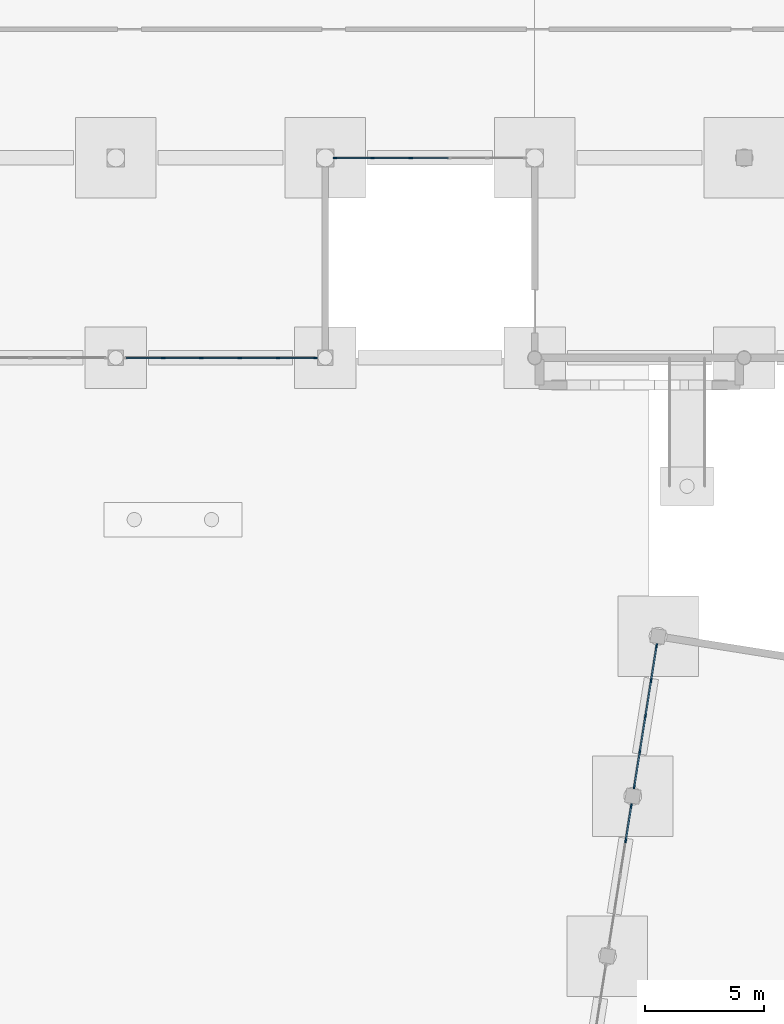
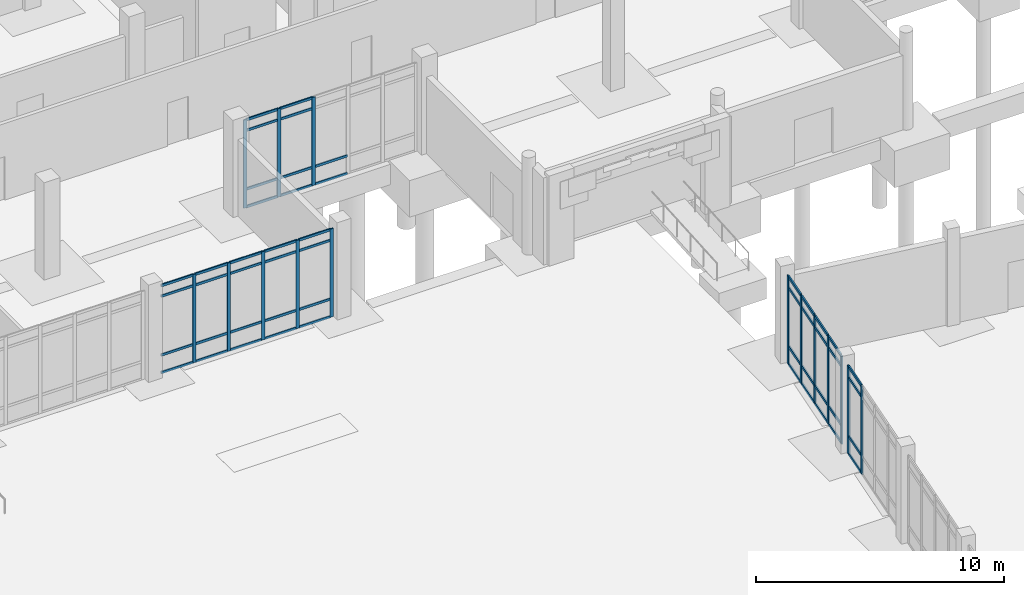
# One storey, part 21 of 72: 65 members, 4 elements without a shape of their own.
"""IFC4 building model written with IfcOpenShell, lengths in metres."""

from ifc_helpers import new_model, si_unit, direction, frame, origin, origin_2d, place, context, subcontext, project, spatial, rectangle, extrude, material, material_profile, profile_set, type_object, element, aggregate, save


model = new_model("IFC4")

# Units and contexts
model_context = context("Model", 3, precision=1e-05, world=origin(), true_north=direction((0.0, 1.0)))
body_context = subcontext(model_context, "Body", "Model", "MODEL_VIEW")
ifc_project = project(units=[si_unit("LENGTHUNIT", "METRE"), si_unit("AREAUNIT", "SQUARE_METRE"), si_unit("VOLUMEUNIT", "CUBIC_METRE"), si_unit("PLANEANGLEUNIT", "RADIAN"), si_unit("MASSUNIT", "GRAM", prefix="KILO")], contexts=[model_context])

# Site, building, storey
site_placement = place(None, origin())
site = spatial("IfcSite", under=ifc_project, at=site_placement, CompositionType="ELEMENT")
building_placement = place(site_placement, origin())
building = spatial("IfcBuilding", under=site, at=building_placement, Name="Cinderway Yard Community Centre", CompositionType="ELEMENT")
storey_placement = place(building_placement, origin())
storey = spatial("IfcBuildingStorey", under=building, at=storey_placement, Name="L00", CompositionType="ELEMENT", Elevation=0.0)

# Curtain wall, members
ifc_material = material(Name="Aluminium 6063-T6", Category="aluminium")
curtain_wall_type_1 = type_object("IfcCurtainWallType", Name="ENV-CW-TYPE-25", PredefinedType="USERDEFINED", material=ifc_material)
curtain_wall_1_placement = place(storey_placement, origin())
curtain_wall_1 = element("IfcCurtainWall", 1, at=curtain_wall_1_placement, inside=storey, type_object=curtain_wall_type_1, Name="V4 Courtyard Curtain Wall ENV-CW-L00-ST-0117", ObjectType="GLAZED CURTAIN WALL", PredefinedType="USERDEFINED")
ifc_material_profile_1 = material_profile(ifc_material, rectangle(XDim=0.06005859375, YDim=0.159912109375, at=origin_2d()), Name="Aluminium 6063-T6")
ifc_profile_set_1 = profile_set([ifc_material_profile_1], Name="Aluminium 6063-T6")
member_type_1 = type_object("IfcMemberType", Name="ENV-CW-MULL-150", PredefinedType="MULLION", material=ifc_profile_set_1)
member_1_placement = place(storey_placement, frame((103.587890625, 90.0, 0.0), z_axis=(0.0, 0.0, 1.0), x_axis=(0.0, 1.0, 0.0)))
member_1 = element("IfcMember", 2, at=member_1_placement, type_object=member_type_1, Name="CW-25 mullion 2", PredefinedType="MULLION", context=body_context, shape_type="SweptSolid", body=[
    extrude(rectangle(XDim=0.06005859375, YDim=0.159912109375, at=origin_2d()), origin(), (0.0, 0.0, 1.0), 4.35009765625),
])
member_2_placement = place(storey_placement, frame((105.196044921875, 90.0, 0.0), z_axis=(0.0, 0.0, 1.0), x_axis=(0.0, 1.0, 0.0)))
member_2 = element("IfcMember", 3, at=member_2_placement, type_object=member_type_1, Name="CW-25 mullion 3", PredefinedType="MULLION", context=body_context, shape_type="SweptSolid", body=[
    extrude(rectangle(XDim=0.06005859375, YDim=0.159912109375, at=origin_2d()), origin(), (0.0, 0.0, 1.0), 4.35009765625),
])
member_3_placement = place(storey_placement, frame((106.803955078125, 90.0, 0.0), z_axis=(0.0, 0.0, 1.0), x_axis=(0.0, 1.0, 0.0)))
member_3 = element("IfcMember", 4, at=member_3_placement, type_object=member_type_1, Name="CW-25 mullion 4", PredefinedType="MULLION", context=body_context, shape_type="SweptSolid", body=[
    extrude(rectangle(XDim=0.06005859375, YDim=0.159912109375, at=origin_2d()), origin(), (0.0, 0.0, 1.0), 4.35009765625),
])
member_4_placement = place(storey_placement, frame((108.412109375, 90.0, 0.0), z_axis=(0.0, 0.0, 1.0), x_axis=(0.0, 1.0, 0.0)))
member_4 = element("IfcMember", 5, at=member_4_placement, type_object=member_type_1, Name="CW-25 mullion 5", PredefinedType="MULLION", context=body_context, shape_type="SweptSolid", body=[
    extrude(rectangle(XDim=0.06005859375, YDim=0.159912109375, at=origin_2d()), origin(), (0.0, 0.0, 1.0), 4.35009765625),
])
member_5_placement = place(storey_placement, frame((109.989990234375, 90.0, 0.0), z_axis=(0.0, 0.0, 1.0), x_axis=(0.0, 1.0, 0.0)))
member_5 = element("IfcMember", 6, at=member_5_placement, type_object=member_type_1, Name="CW-25 mullion 6", PredefinedType="MULLION", context=body_context, shape_type="SweptSolid", body=[
    extrude(rectangle(XDim=0.06005859375, YDim=0.159912109375, at=origin_2d()), origin(), (0.0, 0.0, 1.0), 4.35009765625),
])

curtain_wall_2_placement = place(storey_placement, origin())
curtain_wall_2 = element("IfcCurtainWall", 7, at=curtain_wall_2_placement, inside=storey, type_object=curtain_wall_type_1, Name="V4 Courtyard Curtain Wall ENV-CW-L00-ST-0119", ObjectType="GLAZED CURTAIN WALL", PredefinedType="USERDEFINED")
member_6_placement = place(storey_placement, frame((110.81005859375, 98.39990234375, 0.0), z_axis=(0.0, 0.0, 1.0), x_axis=(0.0, 1.0, 0.0)))
member_6 = element("IfcMember", 8, at=member_6_placement, type_object=member_type_1, Name="CW-25 mullion 1", PredefinedType="MULLION", context=body_context, shape_type="SweptSolid", body=[
    extrude(rectangle(XDim=0.06005859375, YDim=0.159912109375, at=origin_2d()), origin(), (0.0, 0.0, 1.0), 4.35009765625),
])
member_7_placement = place(storey_placement, frame((112.387939453125, 98.39990234375, 0.0), z_axis=(0.0, 0.0, 1.0), x_axis=(0.0, 1.0, 0.0)))
member_7 = element("IfcMember", 9, at=member_7_placement, type_object=member_type_1, Name="CW-25 mullion 2", PredefinedType="MULLION", context=body_context, shape_type="SweptSolid", body=[
    extrude(rectangle(XDim=0.06005859375, YDim=0.159912109375, at=origin_2d()), origin(), (0.0, 0.0, 1.0), 4.35009765625),
])
member_8_placement = place(storey_placement, frame((113.99609375, 98.39990234375, 0.0), z_axis=(0.0, 0.0, 1.0), x_axis=(0.0, 1.0, 0.0)))
member_8 = element("IfcMember", 10, at=member_8_placement, type_object=member_type_1, Name="CW-25 mullion 3", PredefinedType="MULLION", context=body_context, shape_type="SweptSolid", body=[
    extrude(rectangle(XDim=0.06005859375, YDim=0.159912109375, at=origin_2d()), origin(), (0.0, 0.0, 1.0), 4.35009765625),
])

curtain_wall_type_2 = type_object("IfcCurtainWallType", Name="ENV-CW-TYPE-12", PredefinedType="USERDEFINED", material=ifc_material)
curtain_wall_3_placement = place(storey_placement, origin())
curtain_wall_3 = element("IfcCurtainWall", 11, at=curtain_wall_3_placement, inside=storey, type_object=curtain_wall_type_2, Name="Sports Hall Courtyard Curtain Wall ENV-CW-L00-HS-0048", ObjectType="GLAZED CURTAIN WALL", PredefinedType="USERDEFINED")
ifc_material_profile_2 = material_profile(ifc_material, rectangle(XDim=0.06494140625, YDim=0.179931640625, at=origin_2d()), Name="Aluminium 6063-T6")
ifc_profile_set_2 = profile_set([ifc_material_profile_2], Name="Aluminium 6063-T6")
member_type_2 = type_object("IfcMemberType", Name="ENV-CW-MULL-180", PredefinedType="MULLION", material=ifc_profile_set_2)
member_9_placement = place(storey_placement, frame((123.0234375, 69.714599609375, 0.0), z_axis=(0.0, 0.0, 1.0), x_axis=(-0.987660740525, 0.156608625643, 0.0)))
member_9 = element("IfcMember", 12, at=member_9_placement, type_object=member_type_2, Name="CW-12 mullion 4", PredefinedType="MULLION", context=body_context, shape_type="SweptSolid", body=[
    extrude(rectangle(XDim=0.06494140625, YDim=0.179931640625, at=origin_2d()), origin(), (0.0, 0.0, 1.0), 4.35009765625),
])
member_10_placement = place(storey_placement, frame((123.25537109375, 71.17626953125, 0.0), z_axis=(0.0, 0.0, 1.0), x_axis=(-0.987660740525, 0.156608625643, 0.0)))
member_10 = element("IfcMember", 13, at=member_10_placement, type_object=member_type_2, Name="CW-12 mullion 5", PredefinedType="MULLION", context=body_context, shape_type="SweptSolid", body=[
    extrude(rectangle(XDim=0.06494140625, YDim=0.179931640625, at=origin_2d()), origin(), (0.0, 0.0, 1.0), 4.35009765625),
])

curtain_wall_4_placement = place(storey_placement, origin())
curtain_wall_4 = element("IfcCurtainWall", 14, at=curtain_wall_4_placement, inside=storey, type_object=curtain_wall_type_2, Name="Sports Hall Courtyard Curtain Wall ENV-CW-L00-HS-0049", ObjectType="GLAZED CURTAIN WALL", PredefinedType="USERDEFINED")
member_11_placement = place(storey_placement, frame((123.3828125, 71.985595703125, 0.0), z_axis=(0.0, 0.0, 1.0), x_axis=(-0.987664799809, 0.156583023401, 0.0)))
member_11 = element("IfcMember", 15, at=member_11_placement, type_object=member_type_2, Name="CW-12 mullion 1", PredefinedType="MULLION", context=body_context, shape_type="SweptSolid", body=[
    extrude(rectangle(XDim=0.06494140625, YDim=0.179931640625, at=origin_2d()), origin(), (0.0, 0.0, 1.0), 4.35009765625),
])
member_12_placement = place(storey_placement, frame((123.614501953125, 73.44775390625, 0.0), z_axis=(0.0, 0.0, 1.0), x_axis=(-0.987664799809, 0.156583023401, 0.0)))
member_12 = element("IfcMember", 16, at=member_12_placement, type_object=member_type_2, Name="CW-12 mullion 2", PredefinedType="MULLION", context=body_context, shape_type="SweptSolid", body=[
    extrude(rectangle(XDim=0.06494140625, YDim=0.179931640625, at=origin_2d()), origin(), (0.0, 0.0, 1.0), 4.35009765625),
])
member_13_placement = place(storey_placement, frame((123.85107421875, 74.939453125, 0.0), z_axis=(0.0, 0.0, 1.0), x_axis=(-0.987664799809, 0.156583023401, 0.0)))
member_13 = element("IfcMember", 17, at=member_13_placement, type_object=member_type_2, Name="CW-12 mullion 3", PredefinedType="MULLION", context=body_context, shape_type="SweptSolid", body=[
    extrude(rectangle(XDim=0.06494140625, YDim=0.179931640625, at=origin_2d()), origin(), (0.0, 0.0, 1.0), 4.35009765625),
])
member_14_placement = place(storey_placement, frame((124.08740234375, 76.43115234375, 0.0), z_axis=(0.0, 0.0, 1.0), x_axis=(-0.987664799809, 0.156583023401, 0.0)))
member_14 = element("IfcMember", 18, at=member_14_placement, type_object=member_type_2, Name="CW-12 mullion 4", PredefinedType="MULLION", context=body_context, shape_type="SweptSolid", body=[
    extrude(rectangle(XDim=0.06494140625, YDim=0.179931640625, at=origin_2d()), origin(), (0.0, 0.0, 1.0), 4.35009765625),
])
member_15_placement = place(storey_placement, frame((124.3193359375, 77.893310546875, 0.0), z_axis=(0.0, 0.0, 1.0), x_axis=(-0.987664799809, 0.156583023401, 0.0)))
member_15 = element("IfcMember", 19, at=member_15_placement, type_object=member_type_2, Name="CW-12 mullion 5", PredefinedType="MULLION", context=body_context, shape_type="SweptSolid", body=[
    extrude(rectangle(XDim=0.06494140625, YDim=0.179931640625, at=origin_2d()), origin(), (0.0, 0.0, 1.0), 4.35009765625),
])

# Member
ifc_material_profile_3 = material_profile(ifc_material, rectangle(XDim=0.06005859375, YDim=0.1201171875, at=origin_2d()), Name="Aluminium 6063-T6")
ifc_profile_set_3 = profile_set([ifc_material_profile_3], Name="Aluminium 6063-T6")
member_type_3 = type_object("IfcMemberType", Name="ENV-CW-TRAN-110", PredefinedType="USERDEFINED", material=ifc_profile_set_3)
member_16_placement = place(storey_placement, frame((102.0400390625, 90.0, 0.030029296875), z_axis=(1.0, 0.0, 0.0), x_axis=(0.0, 1.0, 0.0)))
member_16 = element("IfcMember", 20, at=member_16_placement, type_object=member_type_3, Name="CW-25 transom 1.1", ObjectType="TRANSOM", PredefinedType="USERDEFINED", context=body_context, shape_type="SweptSolid", body=[
    extrude(rectangle(XDim=0.06005859375, YDim=0.1201171875, at=origin_2d()), origin(), (0.0, 0.0, 1.0), 1.51806640625),
])

member_17_placement = place(storey_placement, frame((102.0400390625, 90.0, 0.89990234375), z_axis=(1.0, 0.0, 0.0), x_axis=(0.0, 1.0, 0.0)))
member_17 = element("IfcMember", 21, at=member_17_placement, type_object=member_type_3, Name="CW-25 transom 1.2", ObjectType="TRANSOM", PredefinedType="USERDEFINED", context=body_context, shape_type="SweptSolid", body=[
    extrude(rectangle(XDim=0.06005859375, YDim=0.1201171875, at=origin_2d()), origin(), (0.0, 0.0, 1.0), 1.51806640625),
])

member_18_placement = place(storey_placement, frame((102.0400390625, 90.0, 3.800048828125), z_axis=(1.0, 0.0, 0.0), x_axis=(0.0, 1.0, 0.0)))
member_18 = element("IfcMember", 22, at=member_18_placement, type_object=member_type_3, Name="CW-25 transom 1.3", ObjectType="TRANSOM", PredefinedType="USERDEFINED", context=body_context, shape_type="SweptSolid", body=[
    extrude(rectangle(XDim=0.06005859375, YDim=0.1201171875, at=origin_2d()), origin(), (0.0, 0.0, 1.0), 1.51806640625),
])

member_19_placement = place(storey_placement, frame((102.0400390625, 90.0, 4.320068359375), z_axis=(1.0, 0.0, 0.0), x_axis=(0.0, 1.0, 0.0)))
member_19 = element("IfcMember", 23, at=member_19_placement, type_object=member_type_3, Name="CW-25 transom 1.4", ObjectType="TRANSOM", PredefinedType="USERDEFINED", context=body_context, shape_type="SweptSolid", body=[
    extrude(rectangle(XDim=0.06005859375, YDim=0.1201171875, at=origin_2d()), origin(), (0.0, 0.0, 1.0), 1.51806640625),
])

member_20_placement = place(storey_placement, frame((103.617919921875, 90.0, 0.030029296875), z_axis=(1.0, 0.0, 0.0), x_axis=(0.0, 1.0, 0.0)))
member_20 = element("IfcMember", 24, at=member_20_placement, type_object=member_type_3, Name="CW-25 transom 2.1", ObjectType="TRANSOM", PredefinedType="USERDEFINED", context=body_context, shape_type="SweptSolid", body=[
    extrude(rectangle(XDim=0.06005859375, YDim=0.1201171875, at=origin_2d()), origin(), (0.0, 0.0, 1.0), 1.548095703125),
])

member_21_placement = place(storey_placement, frame((103.617919921875, 90.0, 0.89990234375), z_axis=(1.0, 0.0, 0.0), x_axis=(0.0, 1.0, 0.0)))
member_21 = element("IfcMember", 25, at=member_21_placement, type_object=member_type_3, Name="CW-25 transom 2.2", ObjectType="TRANSOM", PredefinedType="USERDEFINED", context=body_context, shape_type="SweptSolid", body=[
    extrude(rectangle(XDim=0.06005859375, YDim=0.1201171875, at=origin_2d()), origin(), (0.0, 0.0, 1.0), 1.548095703125),
])

member_22_placement = place(storey_placement, frame((103.617919921875, 90.0, 3.800048828125), z_axis=(1.0, 0.0, 0.0), x_axis=(0.0, 1.0, 0.0)))
member_22 = element("IfcMember", 26, at=member_22_placement, type_object=member_type_3, Name="CW-25 transom 2.3", ObjectType="TRANSOM", PredefinedType="USERDEFINED", context=body_context, shape_type="SweptSolid", body=[
    extrude(rectangle(XDim=0.06005859375, YDim=0.1201171875, at=origin_2d()), origin(), (0.0, 0.0, 1.0), 1.548095703125),
])

member_23_placement = place(storey_placement, frame((103.617919921875, 90.0, 4.320068359375), z_axis=(1.0, 0.0, 0.0), x_axis=(0.0, 1.0, 0.0)))
member_23 = element("IfcMember", 27, at=member_23_placement, type_object=member_type_3, Name="CW-25 transom 2.4", ObjectType="TRANSOM", PredefinedType="USERDEFINED", context=body_context, shape_type="SweptSolid", body=[
    extrude(rectangle(XDim=0.06005859375, YDim=0.1201171875, at=origin_2d()), origin(), (0.0, 0.0, 1.0), 1.548095703125),
])

member_24_placement = place(storey_placement, frame((105.22607421875, 90.0, 0.030029296875), z_axis=(1.0, 0.0, 0.0), x_axis=(0.0, 1.0, 0.0)))
member_24 = element("IfcMember", 28, at=member_24_placement, type_object=member_type_3, Name="CW-25 transom 3.1", ObjectType="TRANSOM", PredefinedType="USERDEFINED", context=body_context, shape_type="SweptSolid", body=[
    extrude(rectangle(XDim=0.06005859375, YDim=0.1201171875, at=origin_2d()), origin(), (0.0, 0.0, 1.0), 1.5478515625),
])

member_25_placement = place(storey_placement, frame((105.22607421875, 90.0, 0.89990234375), z_axis=(1.0, 0.0, 0.0), x_axis=(0.0, 1.0, 0.0)))
member_25 = element("IfcMember", 29, at=member_25_placement, type_object=member_type_3, Name="CW-25 transom 3.2", ObjectType="TRANSOM", PredefinedType="USERDEFINED", context=body_context, shape_type="SweptSolid", body=[
    extrude(rectangle(XDim=0.06005859375, YDim=0.1201171875, at=origin_2d()), origin(), (0.0, 0.0, 1.0), 1.5478515625),
])

member_26_placement = place(storey_placement, frame((105.22607421875, 90.0, 3.800048828125), z_axis=(1.0, 0.0, 0.0), x_axis=(0.0, 1.0, 0.0)))
member_26 = element("IfcMember", 30, at=member_26_placement, type_object=member_type_3, Name="CW-25 transom 3.3", ObjectType="TRANSOM", PredefinedType="USERDEFINED", context=body_context, shape_type="SweptSolid", body=[
    extrude(rectangle(XDim=0.06005859375, YDim=0.1201171875, at=origin_2d()), origin(), (0.0, 0.0, 1.0), 1.5478515625),
])

member_27_placement = place(storey_placement, frame((105.22607421875, 90.0, 4.320068359375), z_axis=(1.0, 0.0, 0.0), x_axis=(0.0, 1.0, 0.0)))
member_27 = element("IfcMember", 31, at=member_27_placement, type_object=member_type_3, Name="CW-25 transom 3.4", ObjectType="TRANSOM", PredefinedType="USERDEFINED", context=body_context, shape_type="SweptSolid", body=[
    extrude(rectangle(XDim=0.06005859375, YDim=0.1201171875, at=origin_2d()), origin(), (0.0, 0.0, 1.0), 1.5478515625),
])

member_28_placement = place(storey_placement, frame((106.833984375, 90.0, 0.030029296875), z_axis=(1.0, 0.0, 0.0), x_axis=(0.0, 1.0, 0.0)))
member_28 = element("IfcMember", 32, at=member_28_placement, type_object=member_type_3, Name="CW-25 transom 4.1", ObjectType="TRANSOM", PredefinedType="USERDEFINED", context=body_context, shape_type="SweptSolid", body=[
    extrude(rectangle(XDim=0.06005859375, YDim=0.1201171875, at=origin_2d()), origin(), (0.0, 0.0, 1.0), 1.548095703125),
])

member_29_placement = place(storey_placement, frame((106.833984375, 90.0, 0.89990234375), z_axis=(1.0, 0.0, 0.0), x_axis=(0.0, 1.0, 0.0)))
member_29 = element("IfcMember", 33, at=member_29_placement, type_object=member_type_3, Name="CW-25 transom 4.2", ObjectType="TRANSOM", PredefinedType="USERDEFINED", context=body_context, shape_type="SweptSolid", body=[
    extrude(rectangle(XDim=0.06005859375, YDim=0.1201171875, at=origin_2d()), origin(), (0.0, 0.0, 1.0), 1.548095703125),
])

member_30_placement = place(storey_placement, frame((106.833984375, 90.0, 3.800048828125), z_axis=(1.0, 0.0, 0.0), x_axis=(0.0, 1.0, 0.0)))
member_30 = element("IfcMember", 34, at=member_30_placement, type_object=member_type_3, Name="CW-25 transom 4.3", ObjectType="TRANSOM", PredefinedType="USERDEFINED", context=body_context, shape_type="SweptSolid", body=[
    extrude(rectangle(XDim=0.06005859375, YDim=0.1201171875, at=origin_2d()), origin(), (0.0, 0.0, 1.0), 1.548095703125),
])

member_31_placement = place(storey_placement, frame((106.833984375, 90.0, 4.320068359375), z_axis=(1.0, 0.0, 0.0), x_axis=(0.0, 1.0, 0.0)))
member_31 = element("IfcMember", 35, at=member_31_placement, type_object=member_type_3, Name="CW-25 transom 4.4", ObjectType="TRANSOM", PredefinedType="USERDEFINED", context=body_context, shape_type="SweptSolid", body=[
    extrude(rectangle(XDim=0.06005859375, YDim=0.1201171875, at=origin_2d()), origin(), (0.0, 0.0, 1.0), 1.548095703125),
])

member_32_placement = place(storey_placement, frame((108.44189453125, 90.0, 0.030029296875), z_axis=(1.0, 0.0, 0.0), x_axis=(0.0, 1.0, 0.0)))
member_32 = element("IfcMember", 36, at=member_32_placement, type_object=member_type_3, Name="CW-25 transom 5.1", ObjectType="TRANSOM", PredefinedType="USERDEFINED", context=body_context, shape_type="SweptSolid", body=[
    extrude(rectangle(XDim=0.06005859375, YDim=0.1201171875, at=origin_2d()), origin(), (0.0, 0.0, 1.0), 1.51806640625),
])

member_33_placement = place(storey_placement, frame((108.44189453125, 90.0, 0.89990234375), z_axis=(1.0, 0.0, 0.0), x_axis=(0.0, 1.0, 0.0)))
member_33 = element("IfcMember", 37, at=member_33_placement, type_object=member_type_3, Name="CW-25 transom 5.2", ObjectType="TRANSOM", PredefinedType="USERDEFINED", context=body_context, shape_type="SweptSolid", body=[
    extrude(rectangle(XDim=0.06005859375, YDim=0.1201171875, at=origin_2d()), origin(), (0.0, 0.0, 1.0), 1.51806640625),
])

member_34_placement = place(storey_placement, frame((108.44189453125, 90.0, 3.800048828125), z_axis=(1.0, 0.0, 0.0), x_axis=(0.0, 1.0, 0.0)))
member_34 = element("IfcMember", 38, at=member_34_placement, type_object=member_type_3, Name="CW-25 transom 5.3", ObjectType="TRANSOM", PredefinedType="USERDEFINED", context=body_context, shape_type="SweptSolid", body=[
    extrude(rectangle(XDim=0.06005859375, YDim=0.1201171875, at=origin_2d()), origin(), (0.0, 0.0, 1.0), 1.51806640625),
])

member_35_placement = place(storey_placement, frame((108.44189453125, 90.0, 4.320068359375), z_axis=(1.0, 0.0, 0.0), x_axis=(0.0, 1.0, 0.0)))
member_35 = element("IfcMember", 39, at=member_35_placement, type_object=member_type_3, Name="CW-25 transom 5.4", ObjectType="TRANSOM", PredefinedType="USERDEFINED", context=body_context, shape_type="SweptSolid", body=[
    extrude(rectangle(XDim=0.06005859375, YDim=0.1201171875, at=origin_2d()), origin(), (0.0, 0.0, 1.0), 1.51806640625),
])

aggregate(curtain_wall_1, [member_1, member_2, member_3, member_4, member_5, member_16, member_17, member_18, member_19, member_20, member_21, member_22, member_23, member_24, member_25, member_26, member_27, member_28, member_29, member_30, member_31, member_32, member_33, member_34, member_35])

member_36_placement = place(storey_placement, frame((110.840087890625, 98.39990234375, 0.030029296875), z_axis=(1.0, 0.0, 0.0), x_axis=(0.0, 1.0, 0.0)))
member_36 = element("IfcMember", 40, at=member_36_placement, type_object=member_type_3, Name="CW-25 transom 1.1", ObjectType="TRANSOM", PredefinedType="USERDEFINED", context=body_context, shape_type="SweptSolid", body=[
    extrude(rectangle(XDim=0.06005859375, YDim=0.1201171875, at=origin_2d()), origin(), (0.0, 0.0, 1.0), 1.517822265625),
])

member_37_placement = place(storey_placement, frame((110.840087890625, 98.39990234375, 0.89990234375), z_axis=(1.0, 0.0, 0.0), x_axis=(0.0, 1.0, 0.0)))
member_37 = element("IfcMember", 41, at=member_37_placement, type_object=member_type_3, Name="CW-25 transom 1.2", ObjectType="TRANSOM", PredefinedType="USERDEFINED", context=body_context, shape_type="SweptSolid", body=[
    extrude(rectangle(XDim=0.06005859375, YDim=0.1201171875, at=origin_2d()), origin(), (0.0, 0.0, 1.0), 1.517822265625),
])

member_38_placement = place(storey_placement, frame((110.840087890625, 98.39990234375, 3.800048828125), z_axis=(1.0, 0.0, 0.0), x_axis=(0.0, 1.0, 0.0)))
member_38 = element("IfcMember", 42, at=member_38_placement, type_object=member_type_3, Name="CW-25 transom 1.3", ObjectType="TRANSOM", PredefinedType="USERDEFINED", context=body_context, shape_type="SweptSolid", body=[
    extrude(rectangle(XDim=0.06005859375, YDim=0.1201171875, at=origin_2d()), origin(), (0.0, 0.0, 1.0), 1.517822265625),
])

member_39_placement = place(storey_placement, frame((110.840087890625, 98.39990234375, 4.320068359375), z_axis=(1.0, 0.0, 0.0), x_axis=(0.0, 1.0, 0.0)))
member_39 = element("IfcMember", 43, at=member_39_placement, type_object=member_type_3, Name="CW-25 transom 1.4", ObjectType="TRANSOM", PredefinedType="USERDEFINED", context=body_context, shape_type="SweptSolid", body=[
    extrude(rectangle(XDim=0.06005859375, YDim=0.1201171875, at=origin_2d()), origin(), (0.0, 0.0, 1.0), 1.517822265625),
])

member_40_placement = place(storey_placement, frame((112.41796875, 98.39990234375, 0.030029296875), z_axis=(1.0, 0.0, 0.0), x_axis=(0.0, 1.0, 0.0)))
member_40 = element("IfcMember", 44, at=member_40_placement, type_object=member_type_3, Name="CW-25 transom 2.1", ObjectType="TRANSOM", PredefinedType="USERDEFINED", context=body_context, shape_type="SweptSolid", body=[
    extrude(rectangle(XDim=0.06005859375, YDim=0.1201171875, at=origin_2d()), origin(), (0.0, 0.0, 1.0), 1.548095703125),
])

member_41_placement = place(storey_placement, frame((112.41796875, 98.39990234375, 0.89990234375), z_axis=(1.0, 0.0, 0.0), x_axis=(0.0, 1.0, 0.0)))
member_41 = element("IfcMember", 45, at=member_41_placement, type_object=member_type_3, Name="CW-25 transom 2.2", ObjectType="TRANSOM", PredefinedType="USERDEFINED", context=body_context, shape_type="SweptSolid", body=[
    extrude(rectangle(XDim=0.06005859375, YDim=0.1201171875, at=origin_2d()), origin(), (0.0, 0.0, 1.0), 1.548095703125),
])

member_42_placement = place(storey_placement, frame((112.41796875, 98.39990234375, 3.800048828125), z_axis=(1.0, 0.0, 0.0), x_axis=(0.0, 1.0, 0.0)))
member_42 = element("IfcMember", 46, at=member_42_placement, type_object=member_type_3, Name="CW-25 transom 2.3", ObjectType="TRANSOM", PredefinedType="USERDEFINED", context=body_context, shape_type="SweptSolid", body=[
    extrude(rectangle(XDim=0.06005859375, YDim=0.1201171875, at=origin_2d()), origin(), (0.0, 0.0, 1.0), 1.548095703125),
])

member_43_placement = place(storey_placement, frame((112.41796875, 98.39990234375, 4.320068359375), z_axis=(1.0, 0.0, 0.0), x_axis=(0.0, 1.0, 0.0)))
member_43 = element("IfcMember", 47, at=member_43_placement, type_object=member_type_3, Name="CW-25 transom 2.4", ObjectType="TRANSOM", PredefinedType="USERDEFINED", context=body_context, shape_type="SweptSolid", body=[
    extrude(rectangle(XDim=0.06005859375, YDim=0.1201171875, at=origin_2d()), origin(), (0.0, 0.0, 1.0), 1.548095703125),
])

member_44_placement = place(storey_placement, frame((114.02587890625, 98.39990234375, 0.030029296875), z_axis=(1.0, 0.0, 0.0), x_axis=(0.0, 1.0, 0.0)))
member_44 = element("IfcMember", 48, at=member_44_placement, type_object=member_type_3, Name="CW-25 transom 3.1", ObjectType="TRANSOM", PredefinedType="USERDEFINED", context=body_context, shape_type="SweptSolid", body=[
    extrude(rectangle(XDim=0.06005859375, YDim=0.1201171875, at=origin_2d()), origin(), (0.0, 0.0, 1.0), 1.548095703125),
])

member_45_placement = place(storey_placement, frame((114.02587890625, 98.39990234375, 0.89990234375), z_axis=(1.0, 0.0, 0.0), x_axis=(0.0, 1.0, 0.0)))
member_45 = element("IfcMember", 49, at=member_45_placement, type_object=member_type_3, Name="CW-25 transom 3.2", ObjectType="TRANSOM", PredefinedType="USERDEFINED", context=body_context, shape_type="SweptSolid", body=[
    extrude(rectangle(XDim=0.06005859375, YDim=0.1201171875, at=origin_2d()), origin(), (0.0, 0.0, 1.0), 1.548095703125),
])

aggregate(curtain_wall_2, [member_6, member_7, member_8, member_36, member_37, member_38, member_39, member_40, member_41, member_42, member_43, member_44, member_45])

ifc_material_profile_4 = material_profile(ifc_material, rectangle(XDim=0.06494140625, YDim=0.139892578125, at=origin_2d()), Name="Aluminium 6063-T6")
ifc_profile_set_4 = profile_set([ifc_material_profile_4], Name="Aluminium 6063-T6")
member_type_4 = type_object("IfcMemberType", Name="ENV-CW-TRAN-140", PredefinedType="USERDEFINED", material=ifc_profile_set_4)
member_46_placement = place(storey_placement, frame((123.0283203125, 69.744140625, 0.030029296875), z_axis=(0.156448115308, 0.987686178508, 0.0), x_axis=(-0.987686178508, 0.156448115308, 0.0)))
member_46 = element("IfcMember", 50, at=member_46_placement, type_object=member_type_4, Name="CW-12 transom 4.1", ObjectType="TRANSOM", PredefinedType="USERDEFINED", context=body_context, shape_type="SweptSolid", body=[
    extrude(rectangle(XDim=0.06494140625, YDim=0.139892578125, at=origin_2d()), origin(), (0.0, 0.0, 1.0), 1.420166015625),
])

member_47_placement = place(storey_placement, frame((123.0283203125, 69.744140625, 0.89990234375), z_axis=(0.156448115308, 0.987686178508, 0.0), x_axis=(-0.987686178508, 0.156448115308, 0.0)))
member_47 = element("IfcMember", 51, at=member_47_placement, type_object=member_type_4, Name="CW-12 transom 4.2", ObjectType="TRANSOM", PredefinedType="USERDEFINED", context=body_context, shape_type="SweptSolid", body=[
    extrude(rectangle(XDim=0.06494140625, YDim=0.139892578125, at=origin_2d()), origin(), (0.0, 0.0, 1.0), 1.420166015625),
])

member_48_placement = place(storey_placement, frame((123.0283203125, 69.744140625, 3.800048828125), z_axis=(0.156448115308, 0.987686178508, 0.0), x_axis=(-0.987686178508, 0.156448115308, 0.0)))
member_48 = element("IfcMember", 52, at=member_48_placement, type_object=member_type_4, Name="CW-12 transom 4.3", ObjectType="TRANSOM", PredefinedType="USERDEFINED", context=body_context, shape_type="SweptSolid", body=[
    extrude(rectangle(XDim=0.06494140625, YDim=0.139892578125, at=origin_2d()), origin(), (0.0, 0.0, 1.0), 1.420166015625),
])

member_49_placement = place(storey_placement, frame((123.0283203125, 69.744140625, 4.320068359375), z_axis=(0.156448115308, 0.987686178508, 0.0), x_axis=(-0.987686178508, 0.156448115308, 0.0)))
member_49 = element("IfcMember", 53, at=member_49_placement, type_object=member_type_4, Name="CW-12 transom 4.4", ObjectType="TRANSOM", PredefinedType="USERDEFINED", context=body_context, shape_type="SweptSolid", body=[
    extrude(rectangle(XDim=0.06494140625, YDim=0.139892578125, at=origin_2d()), origin(), (0.0, 0.0, 1.0), 1.420166015625),
])

aggregate(curtain_wall_3, [member_9, member_10, member_46, member_47, member_48, member_49])

member_50_placement = place(storey_placement, frame((123.387451171875, 72.015380859375, 0.030029296875), z_axis=(0.1565892335, 0.987663815249, 0.0), x_axis=(-0.987663815249, 0.1565892335, 0.0)))
member_50 = element("IfcMember", 54, at=member_50_placement, type_object=member_type_4, Name="CW-12 transom 1.1", ObjectType="TRANSOM", PredefinedType="USERDEFINED", context=body_context, shape_type="SweptSolid", body=[
    extrude(rectangle(XDim=0.06494140625, YDim=0.139892578125, at=origin_2d()), origin(), (0.0, 0.0, 1.0), 1.42041015625),
])

member_51_placement = place(storey_placement, frame((123.387451171875, 72.015380859375, 0.89990234375), z_axis=(0.1565892335, 0.987663815249, 0.0), x_axis=(-0.987663815249, 0.1565892335, 0.0)))
member_51 = element("IfcMember", 55, at=member_51_placement, type_object=member_type_4, Name="CW-12 transom 1.2", ObjectType="TRANSOM", PredefinedType="USERDEFINED", context=body_context, shape_type="SweptSolid", body=[
    extrude(rectangle(XDim=0.06494140625, YDim=0.139892578125, at=origin_2d()), origin(), (0.0, 0.0, 1.0), 1.42041015625),
])

member_52_placement = place(storey_placement, frame((123.387451171875, 72.015380859375, 3.800048828125), z_axis=(0.1565892335, 0.987663815249, 0.0), x_axis=(-0.987663815249, 0.1565892335, 0.0)))
member_52 = element("IfcMember", 56, at=member_52_placement, type_object=member_type_4, Name="CW-12 transom 1.3", ObjectType="TRANSOM", PredefinedType="USERDEFINED", context=body_context, shape_type="SweptSolid", body=[
    extrude(rectangle(XDim=0.06494140625, YDim=0.139892578125, at=origin_2d()), origin(), (0.0, 0.0, 1.0), 1.42041015625),
])

member_53_placement = place(storey_placement, frame((123.387451171875, 72.015380859375, 4.320068359375), z_axis=(0.1565892335, 0.987663815249, 0.0), x_axis=(-0.987663815249, 0.1565892335, 0.0)))
member_53 = element("IfcMember", 57, at=member_53_placement, type_object=member_type_4, Name="CW-12 transom 1.4", ObjectType="TRANSOM", PredefinedType="USERDEFINED", context=body_context, shape_type="SweptSolid", body=[
    extrude(rectangle(XDim=0.06494140625, YDim=0.139892578125, at=origin_2d()), origin(), (0.0, 0.0, 1.0), 1.42041015625),
])

member_54_placement = place(storey_placement, frame((123.619140625, 73.477294921875, 0.030029296875), z_axis=(0.156532999021, 0.987672729307, 0.0), x_axis=(-0.987672729307, 0.156532999021, 0.0)))
member_54 = element("IfcMember", 58, at=member_54_placement, type_object=member_type_4, Name="CW-12 transom 2.1", ObjectType="TRANSOM", PredefinedType="USERDEFINED", context=body_context, shape_type="SweptSolid", body=[
    extrude(rectangle(XDim=0.06494140625, YDim=0.139892578125, at=origin_2d()), origin(), (0.0, 0.0, 1.0), 1.450439453125),
])

member_55_placement = place(storey_placement, frame((123.619140625, 73.477294921875, 0.89990234375), z_axis=(0.156532999021, 0.987672729307, 0.0), x_axis=(-0.987672729307, 0.156532999021, 0.0)))
member_55 = element("IfcMember", 59, at=member_55_placement, type_object=member_type_4, Name="CW-12 transom 2.2", ObjectType="TRANSOM", PredefinedType="USERDEFINED", context=body_context, shape_type="SweptSolid", body=[
    extrude(rectangle(XDim=0.06494140625, YDim=0.139892578125, at=origin_2d()), origin(), (0.0, 0.0, 1.0), 1.450439453125),
])

member_56_placement = place(storey_placement, frame((123.619140625, 73.477294921875, 3.800048828125), z_axis=(0.156532999021, 0.987672729307, 0.0), x_axis=(-0.987672729307, 0.156532999021, 0.0)))
member_56 = element("IfcMember", 60, at=member_56_placement, type_object=member_type_4, Name="CW-12 transom 2.3", ObjectType="TRANSOM", PredefinedType="USERDEFINED", context=body_context, shape_type="SweptSolid", body=[
    extrude(rectangle(XDim=0.06494140625, YDim=0.139892578125, at=origin_2d()), origin(), (0.0, 0.0, 1.0), 1.450439453125),
])

member_57_placement = place(storey_placement, frame((123.619140625, 73.477294921875, 4.320068359375), z_axis=(0.156532999021, 0.987672729307, 0.0), x_axis=(-0.987672729307, 0.156532999021, 0.0)))
member_57 = element("IfcMember", 61, at=member_57_placement, type_object=member_type_4, Name="CW-12 transom 2.4", ObjectType="TRANSOM", PredefinedType="USERDEFINED", context=body_context, shape_type="SweptSolid", body=[
    extrude(rectangle(XDim=0.06494140625, YDim=0.139892578125, at=origin_2d()), origin(), (0.0, 0.0, 1.0), 1.450439453125),
])

member_58_placement = place(storey_placement, frame((123.855712890625, 74.96923828125, 0.030029296875), z_axis=(0.156559025368, 0.987668604126, 0.0), x_axis=(-0.987668604126, 0.156559025368, 0.0)))
member_58 = element("IfcMember", 62, at=member_58_placement, type_object=member_type_4, Name="CW-12 transom 3.1", ObjectType="TRANSOM", PredefinedType="USERDEFINED", context=body_context, shape_type="SweptSolid", body=[
    extrude(rectangle(XDim=0.06494140625, YDim=0.139892578125, at=origin_2d()), origin(), (0.0, 0.0, 1.0), 1.4501953125),
])

member_59_placement = place(storey_placement, frame((123.855712890625, 74.96923828125, 0.89990234375), z_axis=(0.156559025368, 0.987668604126, 0.0), x_axis=(-0.987668604126, 0.156559025368, 0.0)))
member_59 = element("IfcMember", 63, at=member_59_placement, type_object=member_type_4, Name="CW-12 transom 3.2", ObjectType="TRANSOM", PredefinedType="USERDEFINED", context=body_context, shape_type="SweptSolid", body=[
    extrude(rectangle(XDim=0.06494140625, YDim=0.139892578125, at=origin_2d()), origin(), (0.0, 0.0, 1.0), 1.4501953125),
])

member_60_placement = place(storey_placement, frame((123.855712890625, 74.96923828125, 3.800048828125), z_axis=(0.156559025368, 0.987668604126, 0.0), x_axis=(-0.987668604126, 0.156559025368, 0.0)))
member_60 = element("IfcMember", 64, at=member_60_placement, type_object=member_type_4, Name="CW-12 transom 3.3", ObjectType="TRANSOM", PredefinedType="USERDEFINED", context=body_context, shape_type="SweptSolid", body=[
    extrude(rectangle(XDim=0.06494140625, YDim=0.139892578125, at=origin_2d()), origin(), (0.0, 0.0, 1.0), 1.4501953125),
])

member_61_placement = place(storey_placement, frame((123.855712890625, 74.96923828125, 4.320068359375), z_axis=(0.156559025368, 0.987668604126, 0.0), x_axis=(-0.987668604126, 0.156559025368, 0.0)))
member_61 = element("IfcMember", 65, at=member_61_placement, type_object=member_type_4, Name="CW-12 transom 3.4", ObjectType="TRANSOM", PredefinedType="USERDEFINED", context=body_context, shape_type="SweptSolid", body=[
    extrude(rectangle(XDim=0.06494140625, YDim=0.139892578125, at=origin_2d()), origin(), (0.0, 0.0, 1.0), 1.4501953125),
])

member_62_placement = place(storey_placement, frame((124.09228515625, 76.4609375, 0.030029296875), z_axis=(0.1565892335, 0.987663815249, 0.0), x_axis=(-0.987663815249, 0.1565892335, 0.0)))
member_62 = element("IfcMember", 66, at=member_62_placement, type_object=member_type_4, Name="CW-12 transom 4.1", ObjectType="TRANSOM", PredefinedType="USERDEFINED", context=body_context, shape_type="SweptSolid", body=[
    extrude(rectangle(XDim=0.06494140625, YDim=0.139892578125, at=origin_2d()), origin(), (0.0, 0.0, 1.0), 1.42041015625),
])

member_63_placement = place(storey_placement, frame((124.09228515625, 76.4609375, 0.89990234375), z_axis=(0.1565892335, 0.987663815249, 0.0), x_axis=(-0.987663815249, 0.1565892335, 0.0)))
member_63 = element("IfcMember", 67, at=member_63_placement, type_object=member_type_4, Name="CW-12 transom 4.2", ObjectType="TRANSOM", PredefinedType="USERDEFINED", context=body_context, shape_type="SweptSolid", body=[
    extrude(rectangle(XDim=0.06494140625, YDim=0.139892578125, at=origin_2d()), origin(), (0.0, 0.0, 1.0), 1.42041015625),
])

member_64_placement = place(storey_placement, frame((124.09228515625, 76.4609375, 3.800048828125), z_axis=(0.1565892335, 0.987663815249, 0.0), x_axis=(-0.987663815249, 0.1565892335, 0.0)))
member_64 = element("IfcMember", 68, at=member_64_placement, type_object=member_type_4, Name="CW-12 transom 4.3", ObjectType="TRANSOM", PredefinedType="USERDEFINED", context=body_context, shape_type="SweptSolid", body=[
    extrude(rectangle(XDim=0.06494140625, YDim=0.139892578125, at=origin_2d()), origin(), (0.0, 0.0, 1.0), 1.42041015625),
])

member_65_placement = place(storey_placement, frame((124.09228515625, 76.4609375, 4.320068359375), z_axis=(0.1565892335, 0.987663815249, 0.0), x_axis=(-0.987663815249, 0.1565892335, 0.0)))
member_65 = element("IfcMember", 69, at=member_65_placement, type_object=member_type_4, Name="CW-12 transom 4.4", ObjectType="TRANSOM", PredefinedType="USERDEFINED", context=body_context, shape_type="SweptSolid", body=[
    extrude(rectangle(XDim=0.06494140625, YDim=0.139892578125, at=origin_2d()), origin(), (0.0, 0.0, 1.0), 1.42041015625),
])

aggregate(curtain_wall_4, [member_11, member_12, member_13, member_14, member_15, member_50, member_51, member_52, member_53, member_54, member_55, member_56, member_57, member_58, member_59, member_60, member_61, member_62, member_63, member_64, member_65])

save(model, "model.ifc")
